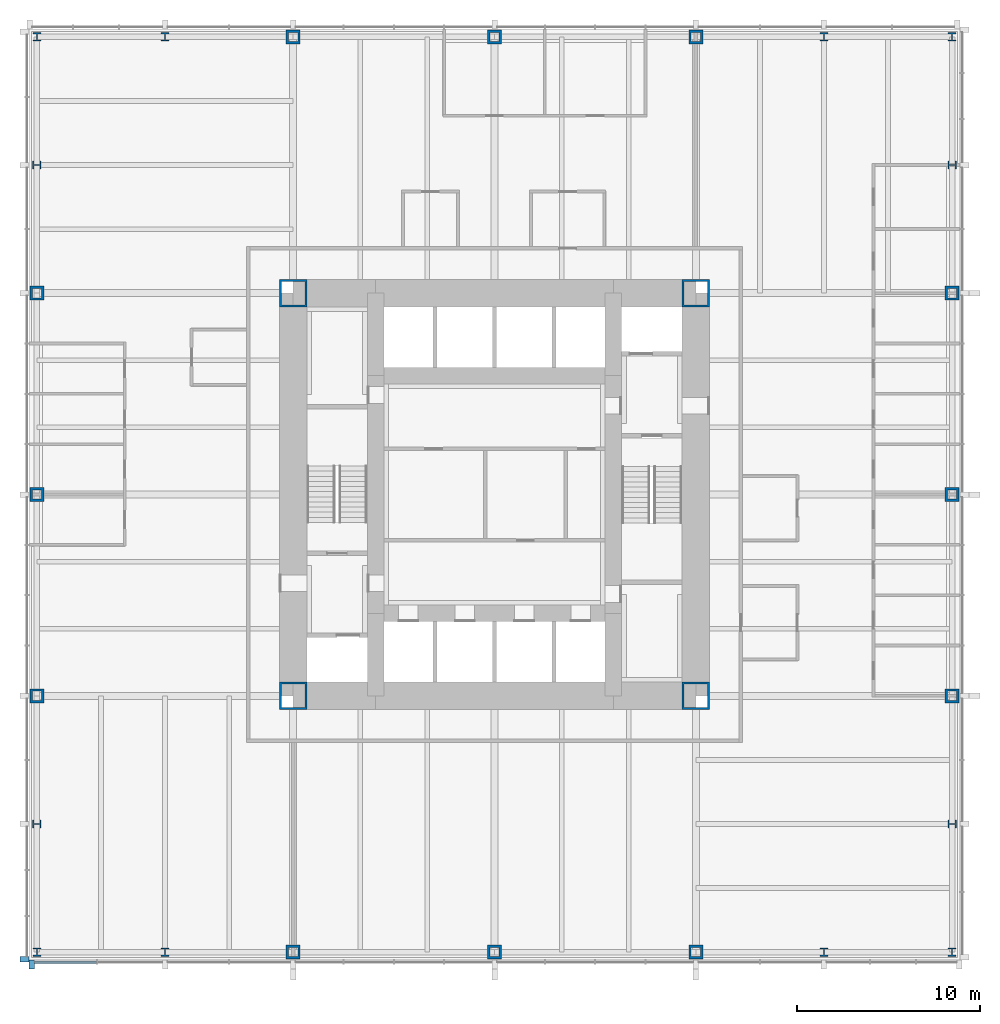
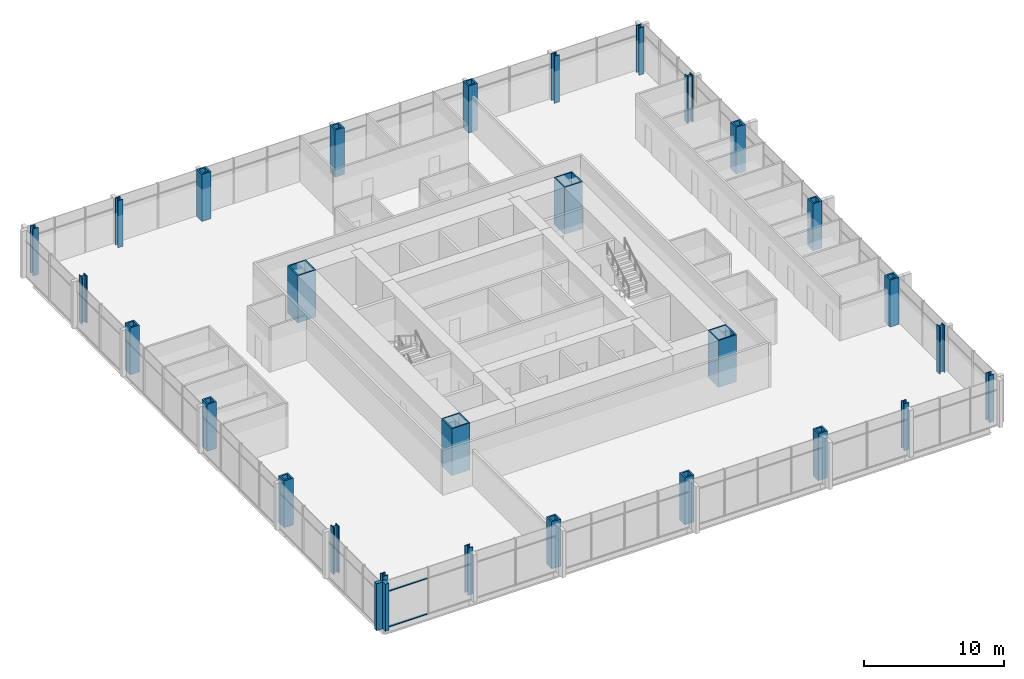
# One storey, part 1 of 12: 28 columns, 4 members, 2 elements without a shape of their own.
"""IFC4 building model written with IfcOpenShell, lengths in metres."""

import ifcopenshell
import ifcopenshell.guid

model = None  # the IFC model being written
_history = None  # IfcOwnerHistory: only IFC2X3 demands one
_inside = {}  # id of a spatial element -> (the spatial element, [elements in it])
_under = {}  # id of a project, library or spatial element -> (it, [spatial elements below it])
_declared = {}  # id of a project -> (the project, [libraries it declares])
_typed = {}  # id of a type object -> (the type object, [elements of that type])
_made_of = {}  # id of a material, layer set ... -> (it, [elements and type objects made of it])


def new_model(schema):
    """Start an empty IFC model of exactly this schema.

    Asked for "IFC4X3", IfcOpenShell would pick the latest addendum, in which some entities
    have other attributes; the version numbers below select the first issue.
    IFC2X3 requires an IfcOwnerHistory on every rooted entity: one is made here for all.
    """
    global model, _history
    if schema == "IFC4X3":
        model = ifcopenshell.file(schema_version=(4, 3, 0, 0))
    else:
        model = ifcopenshell.file(schema=schema)
    _inside.clear()
    _under.clear()
    _declared.clear()
    _typed.clear()
    _made_of.clear()
    _history = None
    if model.schema == "IFC2X3":
        org = make("IfcOrganization", Name="unknown")
        user = make(
            "IfcPersonAndOrganization",
            ThePerson=make("IfcPerson", FamilyName="unknown"),
            TheOrganization=org,
        )
        app = make(
            "IfcApplication",
            ApplicationDeveloper=org,
            Version="unknown",
            ApplicationFullName="unknown",
            ApplicationIdentifier="unknown",
        )
        _history = make(
            "IfcOwnerHistory",
            OwningUser=user,
            OwningApplication=app,
            ChangeAction="ADDED",
            CreationDate=0,
        )
    return model


def make(cls, **values):
    """One entity of the class cls with the attributes given. An attribute that is None is left unset."""
    return model.create_entity(
        cls, **{name: value for name, value in values.items() if value is not None}
    )


def rooted(cls, **values):
    """An entity with a GlobalId (a new one), such as an element, a storey or a relation."""
    return make(cls, GlobalId=ifcopenshell.guid.new(), OwnerHistory=_history, **values)


def si_unit(unit_type, name, prefix=None):
    """IfcSIUnit, for example si_unit("LENGTHUNIT", "METRE", prefix="MILLI")."""
    return make("IfcSIUnit", UnitType=unit_type, Prefix=prefix, Name=name)


def assignment(units):
    """IfcUnitAssignment: the units of a project."""
    return None if units is None else make("IfcUnitAssignment", Units=units)


def point(xyz):
    """IfcCartesianPoint."""
    return None if xyz is None else make("IfcCartesianPoint", Coordinates=xyz)


def direction(xyz):
    """IfcDirection."""
    return None if xyz is None else make("IfcDirection", DirectionRatios=xyz)


def frame(location, z_axis=None, x_axis=None):
    """IfcAxis2Placement3D, a coordinate frame: its origin and axes. An axis left out is left unset."""
    return make(
        "IfcAxis2Placement3D",
        Location=point(location),
        Axis=direction(z_axis),
        RefDirection=direction(x_axis),
    )


def frame_2d(location, x_axis=None):
    """IfcAxis2Placement2D, a coordinate frame in the plane: its origin and x axis."""
    return make(
        "IfcAxis2Placement2D", Location=point(location), RefDirection=direction(x_axis)
    )


def origin():
    """The frame at (0, 0, 0) with its axes left unset."""
    return frame((0.0, 0.0, 0.0))


def origin_2d():
    """The frame at (0, 0) in the plane with its x axis left unset."""
    return frame_2d((0.0, 0.0))


def place(relative_to, where):
    """IfcLocalPlacement: puts the frame where relative to a parent placement (None: the world)."""
    return make(
        "IfcLocalPlacement", PlacementRelTo=relative_to, RelativePlacement=where
    )


def context(
    kind, dimensions, precision=None, world=None, true_north=None, identifier=None
):
    """IfcGeometricRepresentationContext, for example the 3D "Model" context."""
    return make(
        "IfcGeometricRepresentationContext",
        ContextIdentifier=identifier,
        ContextType=kind,
        CoordinateSpaceDimension=dimensions,
        Precision=precision,
        WorldCoordinateSystem=world,
        TrueNorth=true_north,
    )


def subcontext(parent, identifier, kind, view, scale=None):
    """IfcGeometricRepresentationSubContext, for example "Body" below "Model"."""
    return make(
        "IfcGeometricRepresentationSubContext",
        ContextIdentifier=identifier,
        ContextType=kind,
        ParentContext=parent,
        TargetScale=scale,
        TargetView=view,
    )


def project(units=None, contexts=None):
    """IfcProject with its units and contexts."""
    return rooted(
        "IfcProject",
        Name="project",
        RepresentationContexts=contexts,
        UnitsInContext=assignment(units),
    )


def spatial(cls, under=None, at=None, **own):
    """A site, building, storey or space (cls), placed at a placement, below another one or the project."""
    s = rooted(cls, ObjectPlacement=at, **own)
    if under is not None:
        _under.setdefault(under.id(), (under, []))[1].append(s)
    return s


def profile(cls, at=None, kind="AREA", **sizes):
    """A parametric profile (cls). Its sizes go by their IFC names, for example OverallWidth=200.0."""
    return make(cls, ProfileType=kind, Position=at, **sizes)


def rectangle(**sizes):
    """IfcRectangleProfileDef."""
    return profile("IfcRectangleProfileDef", **sizes)


def hollow_rectangle(**sizes):
    """IfcRectangleHollowProfileDef."""
    return profile("IfcRectangleHollowProfileDef", **sizes)


def i_section(**sizes):
    """IfcIShapeProfileDef."""
    return profile("IfcIShapeProfileDef", **sizes)


def extrude(swept, where, along, depth):
    """IfcExtrudedAreaSolid: the profile swept, set in the frame where, extruded along a direction by depth."""
    return make(
        "IfcExtrudedAreaSolid",
        SweptArea=swept,
        Position=where,
        ExtrudedDirection=direction(along),
        Depth=depth,
    )


def shape(context_of_items, identifier, shape_type, items):
    """IfcShapeRepresentation: the items that make up one representation, for example the "Body"."""
    return make(
        "IfcShapeRepresentation",
        ContextOfItems=context_of_items,
        RepresentationIdentifier=identifier,
        RepresentationType=shape_type,
        Items=items,
    )


def material(Name=None, Category=None):
    """IfcMaterial."""
    return make("IfcMaterial", Name=Name, Category=Category)


def material_profile(
    of_material, cross_section, Name=None, Category=None, Priority=None
):
    """IfcMaterialProfile: a cross section and its material."""
    return make(
        "IfcMaterialProfile",
        Name=Name,
        Material=of_material,
        Profile=cross_section,
        Priority=Priority,
        Category=Category,
    )


def profile_set(profiles, Name=None, composite=None):
    """IfcMaterialProfileSet."""
    return make(
        "IfcMaterialProfileSet",
        Name=Name,
        MaterialProfiles=profiles,
        CompositeProfile=composite,
    )


def made_of(thing, what):
    """Note that an element or type object is made of a material, layer set ...; save() writes the relation."""
    if what is not None:
        _made_of.setdefault(what.id(), (what, []))[1].append(thing)
    return thing


def type_object(cls, material=None, **own):
    """A type object (cls), such as IfcWallType, which elements share."""
    return made_of(rooted(cls, **own), material)


def element(
    cls,
    number,
    at=None,
    inside=None,
    cuts=None,
    type_object=None,
    material=None,
    context=None,
    identifier="Body",
    shape_type=None,
    held_by="IfcProductDefinitionShape",
    body=None,
    shapes=None,
    **own,
):
    """One element of the class cls, such as IfcWall. Its Tag is "e" and its number.

    at: its placement. inside: the storey or other place that contains it. cuts: it is an
    opening in that element (IfcRelVoidsElement). A single representation is given by context,
    identifier, shape_type and body (its items); several are given by shapes. held_by: the class
    of the entity that holds the representations. save() writes the other relations.
    """
    e = rooted(cls, Tag="e%d" % number, ObjectPlacement=at, **own)
    if body is not None:
        shapes = [shape(context, identifier, shape_type, body)]
    if shapes is not None:
        e.Representation = make(held_by, Representations=shapes)
    if inside is not None:
        _inside.setdefault(inside.id(), (inside, []))[1].append(e)
    if cuts is not None:
        rooted(
            "IfcRelVoidsElement", RelatingBuildingElement=cuts, RelatedOpeningElement=e
        )
    if type_object is not None:
        _typed.setdefault(type_object.id(), (type_object, []))[1].append(e)
    return made_of(e, material)


def aggregate(whole, parts):
    """IfcRelAggregates: a whole, such as a stair, and the parts it consists of."""
    return rooted("IfcRelAggregates", RelatingObject=whole, RelatedObjects=parts)


def save(model, path):
    """Write the relations noted so far, then the file.

    IfcRelAggregates (storeys below a building ...), IfcRelContainedInSpatialStructure (elements
    in a storey), IfcRelDefinesByType, IfcRelAssociatesMaterial and IfcRelDeclares: one each for
    every whole, place, type object, material and project.
    """
    for whole, parts in _under.values():
        aggregate(whole, parts)
    for where, things in _inside.values():
        rooted(
            "IfcRelContainedInSpatialStructure",
            RelatedElements=things,
            RelatingStructure=where,
        )
    for kind, things in _typed.values():
        rooted("IfcRelDefinesByType", RelatedObjects=things, RelatingType=kind)
    for what, things in _made_of.values():
        rooted("IfcRelAssociatesMaterial", RelatedObjects=things, RelatingMaterial=what)
    for by, libraries in _declared.values():
        rooted("IfcRelDeclares", RelatingContext=by, RelatedDefinitions=libraries)
    model.write(path)


model = new_model("IFC4")

# Units and contexts
model_context = context("Model", 3, precision=1e-05, world=origin(), true_north=direction((0.0, 1.0)))
body_context = subcontext(model_context, "Body", "Model", "MODEL_VIEW")
ifc_project = project(units=[si_unit("LENGTHUNIT", "METRE"), si_unit("AREAUNIT", "SQUARE_METRE"), si_unit("VOLUMEUNIT", "CUBIC_METRE"), si_unit("PLANEANGLEUNIT", "RADIAN"), si_unit("MASSUNIT", "GRAM", prefix="KILO")], contexts=[model_context])

# Site, building, storey
site_placement = place(None, origin())
site = spatial("IfcSite", under=ifc_project, at=site_placement, CompositionType="ELEMENT")
building_placement = place(site_placement, origin())
building = spatial("IfcBuilding", under=site, at=building_placement, Name="Trevanion Tower", CompositionType="ELEMENT")
storey_placement = place(building_placement, frame((0.0, 0.0, 44.699951171875)))
storey = spatial("IfcBuildingStorey", under=building, at=storey_placement, Name="L10", CompositionType="ELEMENT", Elevation=44.699951171875)

# Columns
ifc_material_1 = material(Name="Steel ASTM A588 Grade 50", Category="steel")
ifc_material_profile_1 = material_profile(ifc_material_1, hollow_rectangle(XDim=0.761962890625, YDim=0.761962890625, WallThickness=0.126953125, at=origin_2d()), Name="BOX30X30X5")
ifc_profile_set_1 = profile_set([ifc_material_profile_1], Name="Steel ASTM A588 Grade 50")
column_type_1 = type_object("IfcColumnType", Name="C1 BOX30X30X5", PredefinedType="COLUMN", material=ifc_profile_set_1)
for number, where, z_axis, x_axis, name in (
    (1, (-25.0, 0.0, 0.0), (0.0, 0.0, 1.0), (0.0, 1.0, 0.0), "C1 3/H L10"),
    (2, (-25.0, -11.0, 0.0), (0.0, 0.0, 1.0), (0.0, 1.0, 0.0), "C1 3/F L10"),
    (3, (-11.0, -25.0, 0.0), (0.0, 0.0, 1.0), (1.0, 0.0, 0.0), "C1 8/A L10"),
    (4, (0.0, -25.0, 0.0), (0.0, 0.0, 1.0), (1.0, 0.0, 0.0), "C1 10/A L10"),
    (5, (11.0, -25.0, 0.0), (0.0, 0.0, 1.0), (1.0, 0.0, 0.0), "C1 12/A L10"),
    (6, (25.0, -11.0, 0.0), (0.0, 0.0, 1.0), (0.0, 1.0, 0.0), "C1 17/F L10"),
    (7, (25.0, 0.0, 0.0), (0.0, 0.0, 1.0), (0.0, 1.0, 0.0), "C1 17/H L10"),
    (8, (25.0, 11.0, 0.0), (0.0, 0.0, 1.0), (0.0, 1.0, 0.0), "C1 17/K L10"),
    (9, (11.0, 25.0, 0.0), (0.0, 0.0, 1.0), (1.0, 0.0, 0.0), "C1 12/Q L10"),
    (10, (0.0, 25.0, 0.0), (0.0, 0.0, 1.0), (1.0, 0.0, 0.0), "C1 10/Q L10"),
    (11, (-11.0, 25.0, 0.0), (0.0, 0.0, 1.0), (1.0, 0.0, 0.0), "C1 8/Q L10"),
    (12, (-25.0, 11.0, 0.0), (0.0, 0.0, 1.0), (0.0, 1.0, 0.0), "C1 3/K L10"),
):
    element("IfcColumn", number, at=place(storey_placement, frame(where, z_axis=z_axis, x_axis=x_axis)), inside=storey, type_object=column_type_1, Name=name, PredefinedType="COLUMN", context=body_context, shape_type="SweptSolid", body=[
        extrude(hollow_rectangle(XDim=0.761962890625, YDim=0.761962890625, WallThickness=0.126953125, at=origin_2d()), origin(), (0.0, 0.0, 1.0), 4.10009765625),
    ])
ifc_material_2 = material(Name="Steel ASTM A913 Grade 65", Category="steel")
ifc_material_profile_2 = material_profile(ifc_material_2, i_section(OverallWidth=0.421630859375, OverallDepth=0.46484375, WebThickness=0.044921875, FlangeThickness=0.072509765625, at=origin_2d()), Name="W14X398")
ifc_profile_set_2 = profile_set([ifc_material_profile_2], Name="Steel ASTM A913 Grade 65")
column_type_2 = type_object("IfcColumnType", Name="C2 W14X398", PredefinedType="COLUMN", material=ifc_profile_set_2)
for number, where, z_axis, x_axis, name in (
    (13, (-25.0, -18.0, 0.0), (0.0, 0.0, 1.0), (0.0, 1.0, 0.0), "C2 3/D L10"),
    (14, (-25.0, -25.0, 0.0), (0.0, 0.0, 1.0), (1.0, 0.0, 0.0), "C2 3/A L10"),
    (15, (-18.0, -25.0, 0.0), (0.0, 0.0, 1.0), (1.0, 0.0, 0.0), "C2 6/A L10"),
    (16, (18.0, -25.0, 0.0), (0.0, 0.0, 1.0), (1.0, 0.0, 0.0), "C2 14/A L10"),
    (17, (25.0, -25.0, 0.0), (0.0, 0.0, 1.0), (1.0, 0.0, 0.0), "C2 17/A L10"),
    (18, (25.0, -18.0, 0.0), (0.0, 0.0, 1.0), (0.0, 1.0, 0.0), "C2 17/D L10"),
    (19, (25.0, 18.0, 0.0), (0.0, 0.0, 1.0), (0.0, 1.0, 0.0), "C2 17/M L10"),
    (20, (25.0, 25.0, 0.0), (0.0, 0.0, 1.0), (1.0, 0.0, 0.0), "C2 17/Q L10"),
    (21, (18.0, 25.0, 0.0), (0.0, 0.0, 1.0), (1.0, 0.0, 0.0), "C2 14/Q L10"),
    (22, (-18.0, 25.0, 0.0), (0.0, 0.0, 1.0), (1.0, 0.0, 0.0), "C2 6/Q L10"),
    (23, (-25.0, 25.0, 0.0), (0.0, 0.0, 1.0), (1.0, 0.0, 0.0), "C2 3/Q L10"),
    (24, (-25.0, 18.0, 0.0), (0.0, 0.0, 1.0), (0.0, 1.0, 0.0), "C2 3/M L10"),
):
    element("IfcColumn", number, at=place(storey_placement, frame(where, z_axis=z_axis, x_axis=x_axis)), inside=storey, type_object=column_type_2, Name=name, PredefinedType="COLUMN", context=body_context, shape_type="SweptSolid", body=[
        extrude(i_section(OverallWidth=0.421630859375, OverallDepth=0.46484375, WebThickness=0.044921875, FlangeThickness=0.072509765625, at=origin_2d()), origin(), (0.0, 0.0, 1.0), 4.10009765625),
    ])
ifc_material_3 = material(Name="Steel ASTM A572 Grade 50", Category="steel")
ifc_material_profile_3 = material_profile(ifc_material_3, hollow_rectangle(XDim=1.49853515625, YDim=1.49853515625, WallThickness=0.1015625, at=origin_2d()), Name="BOX59X59X4")
ifc_profile_set_3 = profile_set([ifc_material_profile_3], Name="Steel ASTM A572 Grade 50")
column_type_3 = type_object("IfcColumnType", Name="CB1 BOX59X59X4", PredefinedType="COLUMN", material=ifc_profile_set_3)
for number, where, z_axis, x_axis, name in (
    (25, (11.0, 11.0, 0.0), (0.0, 0.0, 1.0), (1.0, 0.0, 0.0), "CB1 NE L10"),
    (26, (-11.0, 11.0, 0.0), (0.0, 0.0, 1.0), (1.0, 0.0, 0.0), "CB1 NW L10"),
    (27, (-11.0, -11.0, 0.0), (0.0, 0.0, 1.0), (1.0, 0.0, 0.0), "CB1 SW L10"),
    (28, (11.0, -11.0, 0.0), (0.0, 0.0, 1.0), (1.0, 0.0, 0.0), "CB1 SE L10"),
):
    element("IfcColumn", number, at=place(storey_placement, frame(where, z_axis=z_axis, x_axis=x_axis)), inside=storey, type_object=column_type_3, Name=name, PredefinedType="COLUMN", context=body_context, shape_type="SweptSolid", body=[
        extrude(hollow_rectangle(XDim=1.49853515625, YDim=1.49853515625, WallThickness=0.1015625, at=origin_2d()), origin(), (0.0, 0.0, 1.0), 4.10009765625),
    ])

# Curtain wall, member
ifc_material_4 = material(Name="Aluminium and glass", Category="aluminium")
curtain_wall_type = type_object("IfcCurtainWallType", Name="CW1 curtain wall", PredefinedType="USERDEFINED", material=ifc_material_4)
curtain_wall_1_placement = place(storey_placement, origin())
curtain_wall_1 = element("IfcCurtainWall", 29, at=curtain_wall_1_placement, inside=storey, type_object=curtain_wall_type, Name="CW1 L10 2", ObjectType="UNITISED CURTAIN WALL", PredefinedType="USERDEFINED")
ifc_material_5 = material(Name="Aluminium extrusion, anodised bronze", Category="aluminium")
ifc_material_profile_4 = material_profile(ifc_material_5, rectangle(XDim=0.300048828125, YDim=0.5, at=origin_2d()), Name="CW1 pier mullion")
ifc_profile_set_4 = profile_set([ifc_material_profile_4], Name="Aluminium extrusion, anodised bronze")
member_type_1 = type_object("IfcMemberType", Name="CW1 pier mullion", PredefinedType="MULLION", material=ifc_profile_set_4)
member_1_placement = place(storey_placement, frame((-25.675048828125, -25.39990234375, -0.18994140625), z_axis=(0.0, 0.0, 1.0), x_axis=(0.0, -1.0, 0.0)))
member_1 = element("IfcMember", 30, at=member_1_placement, type_object=member_type_1, Name="CW1 pier mullion 18", PredefinedType="MULLION", context=body_context, shape_type="SweptSolid", body=[
    extrude(rectangle(XDim=0.300048828125, YDim=0.5, at=origin_2d()), origin(), (0.0, 0.0, 1.0), 4.10009765625),
])
aggregate(curtain_wall_1, [member_1])

# Curtain wall, members
curtain_wall_2_placement = place(storey_placement, origin())
curtain_wall_2 = element("IfcCurtainWall", 31, at=curtain_wall_2_placement, inside=storey, type_object=curtain_wall_type, Name="CW1 L10 3", ObjectType="UNITISED CURTAIN WALL", PredefinedType="USERDEFINED")
member_2_placement = place(storey_placement, frame((-25.27001953125, -25.675048828125, -0.18994140625), z_axis=(0.0, 0.0, 1.0), x_axis=(1.0, 0.0, 0.0)))
member_2 = element("IfcMember", 32, at=member_2_placement, type_object=member_type_1, Name="CW1 pier mullion 1", PredefinedType="MULLION", context=body_context, shape_type="SweptSolid", body=[
    extrude(rectangle(XDim=0.300048828125, YDim=0.5, at=origin_2d()), origin(), (0.0, 0.0, 1.0), 4.10009765625),
])
ifc_material_6 = material(Name="Aluminium extrusion, anodised bronze", Category="aluminium")
ifc_material_profile_5 = material_profile(ifc_material_6, rectangle(XDim=0.14990234375, YDim=0.074951171875, at=origin_2d()), Name="CW1 transom")
ifc_profile_set_5 = profile_set([ifc_material_profile_5], Name="Aluminium extrusion, anodised bronze")
member_type_2 = type_object("IfcMemberType", Name="CW1 transom", PredefinedType="USERDEFINED", material=ifc_profile_set_5)
member_3_placement = place(storey_placement, frame((-25.1201171875, -25.550048828125, -0.15234375), z_axis=(1.0, 0.0, 0.0), x_axis=(0.0, 1.0, 0.0)))
member_3 = element("IfcMember", 33, at=member_3_placement, type_object=member_type_2, Name="CW1 transom 1.1", ObjectType="TRANSOM", PredefinedType="USERDEFINED", context=body_context, shape_type="SweptSolid", body=[
    extrude(rectangle(XDim=0.14990234375, YDim=0.074951171875, at=origin_2d()), origin(), (0.0, 0.0, 1.0), 3.37255859375),
])
member_4_placement = place(storey_placement, frame((-25.1201171875, -25.550048828125, 2.9599609375), z_axis=(1.0, 0.0, 0.0), x_axis=(0.0, 1.0, 0.0)))
member_4 = element("IfcMember", 34, at=member_4_placement, type_object=member_type_2, Name="CW1 transom 1.2", ObjectType="TRANSOM", PredefinedType="USERDEFINED", context=body_context, shape_type="SweptSolid", body=[
    extrude(rectangle(XDim=0.14990234375, YDim=0.074951171875, at=origin_2d()), origin(), (0.0, 0.0, 1.0), 3.37255859375),
])
aggregate(curtain_wall_2, [member_2, member_3, member_4])

save(model, "model.ifc")
